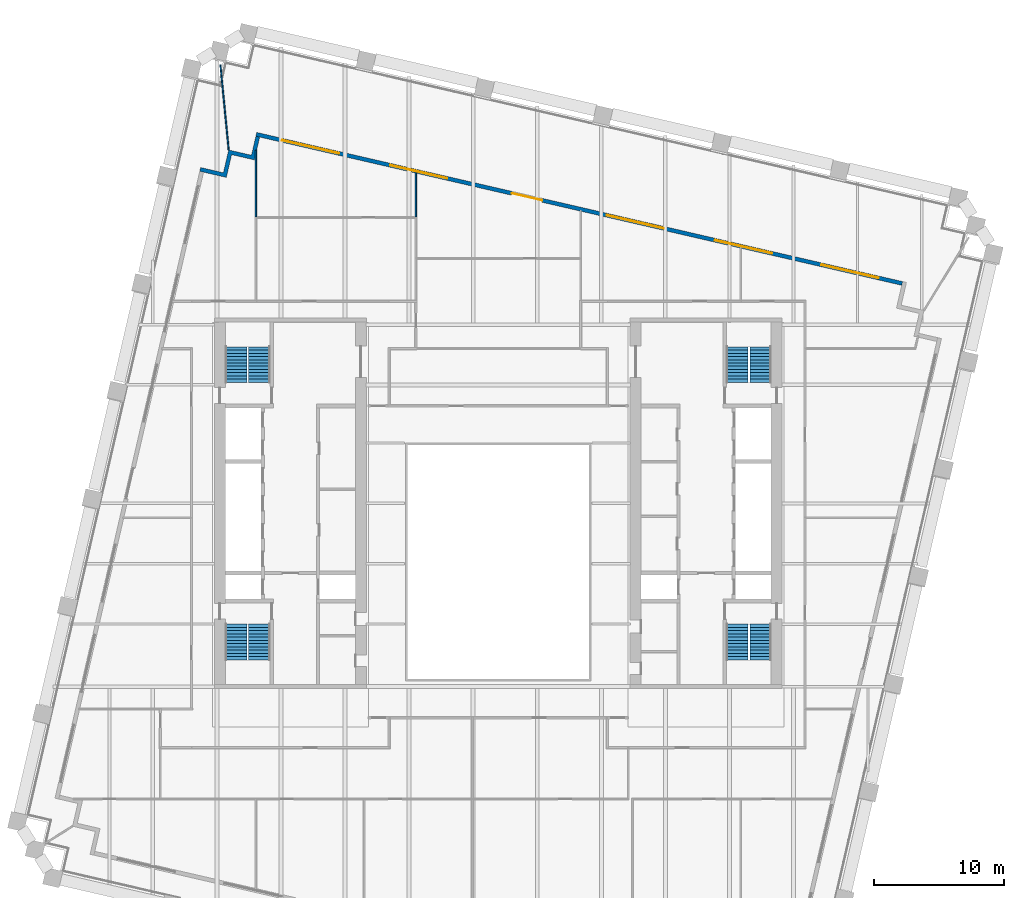
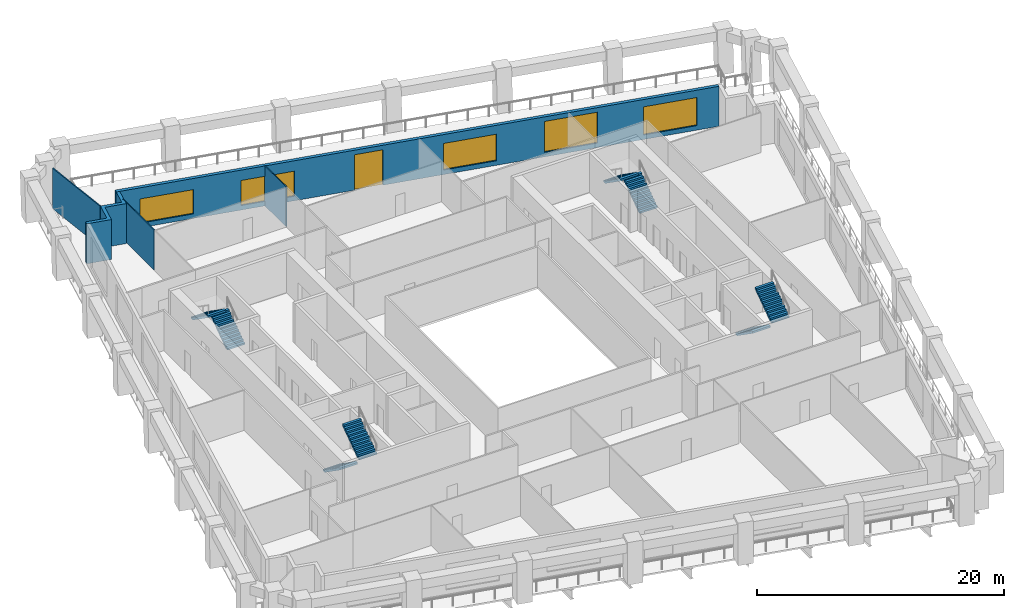
# One storey, part 8 of 10: 8 stair flights, 5 walls, 5 windows, 1 door, 6 openings, 4 elements without a shape of their own.
"""IFC4 building model written with IfcOpenShell, lengths in metres."""

from ifc_helpers import new_model, si_unit, direction, frame, frame_2d, origin, place, context, subcontext, project, spatial, polyline, rectangle, outline, extrude, material, layer, layer_set, type_object, element, fill, aggregate, save


model = new_model("IFC4")

# Units and contexts
model_context = context("Model", 3, precision=1e-05, world=origin(), true_north=direction((0.0, 1.0)))
body_context = subcontext(model_context, "Body", "Model", "MODEL_VIEW")
ifc_project = project(units=[si_unit("LENGTHUNIT", "METRE"), si_unit("AREAUNIT", "SQUARE_METRE"), si_unit("VOLUMEUNIT", "CUBIC_METRE"), si_unit("PLANEANGLEUNIT", "RADIAN"), si_unit("MASSUNIT", "GRAM", prefix="KILO")], contexts=[model_context])

# Site, building, storey
site_placement = place(None, origin())
site = spatial("IfcSite", under=ifc_project, at=site_placement, CompositionType="ELEMENT")
building_placement = place(site_placement, origin())
building = spatial("IfcBuilding", under=site, at=building_placement, Name="Ogive Exchange Tower", CompositionType="ELEMENT")
storey_placement = place(building_placement, frame((0.0, 0.0, 151.800048828125)))
storey = spatial("IfcBuildingStorey", under=building, at=storey_placement, Name="L33", CompositionType="ELEMENT", Elevation=151.800048828125)

# Wall, openings, door, windows
ifc_material_1 = material(Name="Precast concrete C40/50", Category="concrete")
ifc_layer_1 = layer(ifc_material_1, 0.300048828125)
ifc_layer_set_1 = layer_set([ifc_layer_1], Name="Limestone-faced wall 300")
wall_type_1 = type_object("IfcWallType", Name="Limestone-faced wall 300", PredefinedType="STANDARD", material=ifc_layer_set_1)
wall_1_placement = place(storey_placement, frame((31.07763671875, 28.4208984375, 0.0), z_axis=(0.0, 0.0, 1.0), x_axis=(-0.974370456532, 0.224949357493, 0.0)))
wall_1 = element("IfcWall", 1, at=wall_1_placement, inside=storey, type_object=wall_type_1, Name="External wall N3", PredefinedType="STANDARD", context=body_context, shape_type="SweptSolid", body=[
    extrude(rectangle(XDim=51.0, YDim=0.300048828125, at=frame_2d((25.5, 0.0))), origin(), (0.0, 0.0, 1.0), 3.949951171875),
])
opening_1_placement = place(wall_1_placement, frame((1.875, 0.0, 0.449951171875)))
opening_1 = element("IfcOpeningElement", 2, at=opening_1_placement, cuts=wall_1, Name="Opening W1G", PredefinedType="OPENING", context=body_context, shape_type="SweptSolid", body=[
    extrude(rectangle(XDim=4.5, YDim=2.77490234375, at=frame_2d((2.25, 1.387451171875))), frame((0.0, 0.159912109375, 0.0), z_axis=(0.0, -1.0, 0.0), x_axis=(1.0, 0.0, 0.0)), (0.0, 0.0, 1.0), 0.320068359375),
])
opening_2_placement = place(wall_1_placement, frame((10.27490234375, 0.0, 0.449951171875)))
opening_2 = element("IfcOpeningElement", 3, at=opening_2_placement, cuts=wall_1, Name="Opening W1", PredefinedType="OPENING", context=body_context, shape_type="SweptSolid", body=[
    extrude(rectangle(XDim=4.5, YDim=3.050048828125, at=frame_2d((2.25, 1.52490234375))), frame((0.0, 0.159912109375, 0.0), z_axis=(0.0, -1.0, 0.0), x_axis=(1.0, 0.0, 0.0)), (0.0, 0.0, 1.0), 0.320068359375),
])
opening_3_placement = place(wall_1_placement, frame((18.824951171875, 0.0, 0.449951171875)))
opening_3 = element("IfcOpeningElement", 4, at=opening_3_placement, cuts=wall_1, Name="Opening W1L", PredefinedType="OPENING", context=body_context, shape_type="SweptSolid", body=[
    extrude(rectangle(XDim=4.5, YDim=2.625, at=frame_2d((2.25, 1.3125))), frame((0.0, 0.159912109375, 0.0), z_axis=(0.0, -1.0, 0.0), x_axis=(1.0, 0.0, 0.0)), (0.0, 0.0, 1.0), 0.320068359375),
])
opening_4_placement = place(wall_1_placement, frame((28.425048828125, 0.0, 0.0)))
opening_4 = element("IfcOpeningElement", 5, at=opening_4_placement, cuts=wall_1, Name="Opening D1", PredefinedType="OPENING", context=body_context, shape_type="SweptSolid", body=[
    extrude(rectangle(XDim=2.39990234375, YDim=3.5, at=frame_2d((1.199951171875, 1.75))), frame((0.0, 0.159912109375, 0.0), z_axis=(0.0, -1.0, 0.0), x_axis=(1.0, 0.0, 0.0)), (0.0, 0.0, 1.0), 0.320068359375),
])
opening_5_placement = place(wall_1_placement, frame((35.925048828125, 0.0, 0.449951171875)))
opening_5 = element("IfcOpeningElement", 6, at=opening_5_placement, cuts=wall_1, Name="Opening W1P", PredefinedType="OPENING", context=body_context, shape_type="SweptSolid", body=[
    extrude(rectangle(XDim=4.5, YDim=2.47509765625, at=frame_2d((2.25, 1.237548828125))), frame((0.0, 0.159912109375, 0.0), z_axis=(0.0, -1.0, 0.0), x_axis=(1.0, 0.0, 0.0)), (0.0, 0.0, 1.0), 0.320068359375),
])
opening_6_placement = place(wall_1_placement, frame((44.47509765625, 0.0, 0.449951171875)))
opening_6 = element("IfcOpeningElement", 7, at=opening_6_placement, cuts=wall_1, Name="Opening W1R", PredefinedType="OPENING", context=body_context, shape_type="SweptSolid", body=[
    extrude(rectangle(XDim=4.5, YDim=2.39990234375, at=frame_2d((2.25, 1.199951171875))), frame((0.0, 0.159912109375, 0.0), z_axis=(0.0, -1.0, 0.0), x_axis=(1.0, 0.0, 0.0)), (0.0, 0.0, 1.0), 0.320068359375),
])
ifc_material_2 = material(Name="Clear glass in bronze frame", Category="glass")
door_type = type_object("IfcDoorType", Name="Sliding loggia door 2400 x 3500", OperationType="DOUBLE_DOOR_SLIDING", PredefinedType="DOOR", material=ifc_material_2)
door_placement = place(opening_4_placement, origin())
door = element("IfcDoor", 8, at=door_placement, inside=storey, type_object=door_type, Name="Loggia door N03", OperationType="DOUBLE_DOOR_SLIDING", OverallHeight=3.5, OverallWidth=2.39990234375, PredefinedType="DOOR", context=body_context, shape_type="SweptSolid", body=[
    extrude(rectangle(XDim=2.39990234375, YDim=3.5, at=frame_2d((1.199951171875, 1.75))), frame((0.0, 0.02490234375, 0.0), z_axis=(0.0, -1.0, 0.0), x_axis=(1.0, 0.0, 0.0)), (0.0, 0.0, 1.0), 0.050048828125),
])
fill(opening_4, door)
window_type_1 = type_object("IfcWindowType", Name="Twin lancet window 4500 x 2400", PartitioningType="DOUBLE_PANEL_VERTICAL", PredefinedType="WINDOW", material=ifc_material_2)
window_1_placement = place(opening_6_placement, origin())
window_1 = element("IfcWindow", 9, at=window_1_placement, inside=storey, type_object=window_type_1, Name="Window N05", OverallHeight=2.39990234375, OverallWidth=4.5, PartitioningType="DOUBLE_PANEL_VERTICAL", PredefinedType="WINDOW", context=body_context, shape_type="SweptSolid", body=[
    extrude(rectangle(XDim=4.5, YDim=2.39990234375, at=frame_2d((2.25, 1.199951171875))), frame((0.0, 0.030029296875, 0.0), z_axis=(0.0, -1.0, 0.0), x_axis=(1.0, 0.0, 0.0)), (0.0, 0.0, 1.0), 0.06005859375),
])
fill(opening_6, window_1)
window_type_2 = type_object("IfcWindowType", Name="Twin lancet window 4500 x 2475", PartitioningType="DOUBLE_PANEL_VERTICAL", PredefinedType="WINDOW", material=ifc_material_2)
window_2_placement = place(opening_5_placement, origin())
window_2 = element("IfcWindow", 10, at=window_2_placement, inside=storey, type_object=window_type_2, Name="Window N04", OverallHeight=2.47509765625, OverallWidth=4.5, PartitioningType="DOUBLE_PANEL_VERTICAL", PredefinedType="WINDOW", context=body_context, shape_type="SweptSolid", body=[
    extrude(rectangle(XDim=4.5, YDim=2.47509765625, at=frame_2d((2.25, 1.237548828125))), frame((0.0, 0.030029296875, 0.0), z_axis=(0.0, -1.0, 0.0), x_axis=(1.0, 0.0, 0.0)), (0.0, 0.0, 1.0), 0.06005859375),
])
fill(opening_5, window_2)
window_type_3 = type_object("IfcWindowType", Name="Twin lancet window 4500 x 2625", PartitioningType="DOUBLE_PANEL_VERTICAL", PredefinedType="WINDOW", material=ifc_material_2)
window_3_placement = place(opening_3_placement, origin())
window_3 = element("IfcWindow", 11, at=window_3_placement, inside=storey, type_object=window_type_3, Name="Window N02", OverallHeight=2.625, OverallWidth=4.5, PartitioningType="DOUBLE_PANEL_VERTICAL", PredefinedType="WINDOW", context=body_context, shape_type="SweptSolid", body=[
    extrude(rectangle(XDim=4.5, YDim=2.625, at=frame_2d((2.25, 1.3125))), frame((0.0, 0.030029296875, 0.0), z_axis=(0.0, -1.0, 0.0), x_axis=(1.0, 0.0, 0.0)), (0.0, 0.0, 1.0), 0.06005859375),
])
fill(opening_3, window_3)
window_type_4 = type_object("IfcWindowType", Name="Twin lancet window 4500 x 2775", PartitioningType="DOUBLE_PANEL_VERTICAL", PredefinedType="WINDOW", material=ifc_material_2)
window_4_placement = place(opening_1_placement, origin())
window_4 = element("IfcWindow", 12, at=window_4_placement, inside=storey, type_object=window_type_4, Name="Window N00", OverallHeight=2.77490234375, OverallWidth=4.5, PartitioningType="DOUBLE_PANEL_VERTICAL", PredefinedType="WINDOW", context=body_context, shape_type="SweptSolid", body=[
    extrude(rectangle(XDim=4.5, YDim=2.77490234375, at=frame_2d((2.25, 1.387451171875))), frame((0.0, 0.030029296875, 0.0), z_axis=(0.0, -1.0, 0.0), x_axis=(1.0, 0.0, 0.0)), (0.0, 0.0, 1.0), 0.06005859375),
])
fill(opening_1, window_4)
window_type_5 = type_object("IfcWindowType", Name="Twin lancet window 4500 x 3050", PartitioningType="DOUBLE_PANEL_VERTICAL", PredefinedType="WINDOW", material=ifc_material_2)
window_5_placement = place(opening_2_placement, origin())
window_5 = element("IfcWindow", 13, at=window_5_placement, inside=storey, type_object=window_type_5, Name="Window N01", OverallHeight=3.050048828125, OverallWidth=4.5, PartitioningType="DOUBLE_PANEL_VERTICAL", PredefinedType="WINDOW", context=body_context, shape_type="SweptSolid", body=[
    extrude(rectangle(XDim=4.5, YDim=3.050048828125, at=frame_2d((2.25, 1.52490234375))), frame((0.0, 0.030029296875, 0.0), z_axis=(0.0, -1.0, 0.0), x_axis=(1.0, 0.0, 0.0)), (0.0, 0.0, 1.0), 0.06005859375),
])
fill(opening_2, window_5)

# Walls
wall_2_placement = place(storey_placement, origin())
element("IfcWall", 14, at=wall_2_placement, inside=storey, type_object=wall_type_1, Name="External corner wall C3", PredefinedType="STANDARD", context=body_context, shape_type="SweptSolid", body=[
    extrude(outline(polyline([(-22.966552734375, 37.04931640625), (-22.89892578125, 37.341552734375), (-21.145263671875, 36.936767578125), (-20.740234375, 38.690673828125), (-18.986328125, 38.28564453125), (-18.64892578125, 39.747314453125), (-18.356689453125, 39.6796875), (-18.76171875, 37.92578125), (-20.515380859375, 38.330810546875), (-20.92041015625, 36.576904296875), (-22.966552734375, 37.04931640625)])), origin(), (0.0, 0.0, 1.0), 3.949951171875),
])
ifc_material_3 = material(Name="Laminated safety glass in steel frame", Category="steel")
ifc_layer_2 = layer(ifc_material_3, 0.10009765625)
ifc_layer_set_2 = layer_set([ifc_layer_2], Name="Loggia end screen 100")
wall_type_2 = type_object("IfcWallType", Name="Loggia end screen 100", PredefinedType="STANDARD", material=ifc_layer_set_2)
wall_3_placement = place(storey_placement, frame((-20.740234375, 38.690673828125, -0.050048828125), z_axis=(0.0, 0.0, 1.0), x_axis=(-0.097012360204, 0.995283176773, 0.0)))
element("IfcWall", 15, at=wall_3_placement, inside=storey, type_object=wall_type_2, Name="Loggia end screen C3", PredefinedType="STANDARD", context=body_context, shape_type="SweptSolid", body=[
    extrude(rectangle(XDim=6.598388671875, YDim=0.10009765625, at=frame_2d((3.29931640625, 0.0))), origin(), (0.0, 0.0, 1.0), 4.0),
])
ifc_material_4 = material(Name="Partition 100 gypsum")
ifc_layer_3 = layer(ifc_material_4, 0.10009765625)
ifc_layer_set_3 = layer_set([ifc_layer_3], Name="Partition 100 gypsum")
wall_type_3 = type_object("IfcWallType", Name="Partition 100 gypsum", PredefinedType="PARTITIONING", material=ifc_layer_set_3)
wall_4_placement = place(storey_placement, frame((-18.64990234375, 33.550048828125, 0.0), z_axis=(0.0, 0.0, 1.0), x_axis=(0.0, 1.0, 0.0)))
element("IfcWall", 16, at=wall_4_placement, inside=storey, type_object=wall_type_3, Name="L33-PWL-017", PredefinedType="PARTITIONING", context=body_context, shape_type="SweptSolid", body=[
    extrude(rectangle(XDim=5.10400390625, YDim=0.10009765625, at=frame_2d((2.552001953125, 0.0))), origin(), (0.0, 0.0, 1.0), 3.949951171875),
])
wall_5_placement = place(storey_placement, frame((-6.340087890625, 33.550048828125, 0.0), z_axis=(0.0, 0.0, 1.0), x_axis=(0.0, 1.0, 0.0)))
element("IfcWall", 17, at=wall_5_placement, inside=storey, type_object=wall_type_3, Name="L33-PWL-032", PredefinedType="PARTITIONING", context=body_context, shape_type="SweptSolid", body=[
    extrude(rectangle(XDim=3.43798828125, YDim=0.10009765625, at=frame_2d((1.718994140625, 0.0))), origin(), (0.0, 0.0, 1.0), 3.949951171875),
])

# Stair, stair flights
ifc_material_5 = material(Name="Concrete C40/50", Category="concrete")
stair_type = type_object("IfcStairType", Name="Exit stair 1650 wide", PredefinedType="HALF_TURN_STAIR", material=ifc_material_5)
stair_1_placement = place(storey_placement, origin())
stair_1 = element("IfcStair", 18, at=stair_1_placement, inside=storey, type_object=stair_type, Name="L33 exit stair ST1", PredefinedType="HALF_TURN_STAIR")
stair_flight_type = type_object("IfcStairFlightType", Name="Stair flight 1650 wide", PredefinedType="STRAIGHT", material=ifc_material_5)
stair_flight_1_placement = place(storey_placement, frame((-20.175048828125, 2.199951171875, 0.0), z_axis=(0.0, 0.0, 1.0), x_axis=(0.0, -1.0, 0.0)))
stair_flight_1 = element("IfcStairFlight", 19, at=stair_flight_1_placement, type_object=stair_flight_type, Name="ST1 flight 1", NumberOfRisers=12, NumberOfTreads=11, PredefinedType="STRAIGHT", RiserHeight=0.175, TreadLength=0.25, context=body_context, shape_type="SweptSolid", body=[
    extrude(outline(polyline([(0.0, 0.0), (0.0, 0.175048828125), (0.25, 0.175048828125), (0.25, 0.35009765625), (0.5, 0.35009765625), (0.5, 0.52490234375), (0.75, 0.52490234375), (0.75, 0.699951171875), (1.0, 0.699951171875), (1.0, 0.875), (1.25, 0.875), (1.25, 1.050048828125), (1.5, 1.050048828125), (1.5, 1.22509765625), (1.75, 1.22509765625), (1.75, 1.39990234375), (2.0, 1.39990234375), (2.0, 1.574951171875), (2.25, 1.574951171875), (2.25, 1.75), (2.5, 1.75), (2.5, 1.925048828125), (2.75, 1.925048828125), (2.75, 2.10009765625), (2.75, 1.741943359375), (0.261474609375, 0.0), (0.0, 0.0)])), frame((0.0, 0.824951171875, 0.0), z_axis=(0.0, -1.0, 0.0), x_axis=(1.0, 0.0, 0.0)), (0.0, 0.0, 1.0), 1.64990234375),
])
stair_flight_2_placement = place(storey_placement, frame((-18.375, -0.550048828125, 2.099853515625), z_axis=(0.0, 0.0, 1.0), x_axis=(0.0, 1.0, 0.0)))
stair_flight_2 = element("IfcStairFlight", 20, at=stair_flight_2_placement, type_object=stair_flight_type, Name="ST1 flight 2", NumberOfRisers=12, NumberOfTreads=11, PredefinedType="STRAIGHT", RiserHeight=0.175, TreadLength=0.25, context=body_context, shape_type="SweptSolid", body=[
    extrude(outline(polyline([(0.0, 0.0), (0.0, 0.175048828125), (0.25, 0.175048828125), (0.25, 0.35009765625), (0.5, 0.35009765625), (0.5, 0.52490234375), (0.75, 0.52490234375), (0.75, 0.699951171875), (1.0, 0.699951171875), (1.0, 0.875), (1.25, 0.875), (1.25, 1.050048828125), (1.5, 1.050048828125), (1.5, 1.22509765625), (1.75, 1.22509765625), (1.75, 1.39990234375), (2.0, 1.39990234375), (2.0, 1.574951171875), (2.25, 1.574951171875), (2.25, 1.75), (2.5, 1.75), (2.5, 1.925048828125), (2.75, 1.925048828125), (2.75, 2.10009765625), (2.75, 1.741943359375), (0.261474609375, 0.0), (0.0, 0.0)])), frame((0.0, 0.824951171875, 0.0), z_axis=(0.0, -1.0, 0.0), x_axis=(1.0, 0.0, 0.0)), (0.0, 0.0, 1.0), 1.64990234375),
])
aggregate(stair_1, [stair_flight_1, stair_flight_2])

stair_2_placement = place(storey_placement, origin())
stair_2 = element("IfcStair", 21, at=stair_2_placement, inside=storey, type_object=stair_type, Name="L33 exit stair ST2", PredefinedType="HALF_TURN_STAIR")
stair_flight_3_placement = place(storey_placement, frame((-18.375, 20.800048828125, 0.0), z_axis=(0.0, 0.0, 1.0), x_axis=(0.0, 1.0, 0.0)))
stair_flight_3 = element("IfcStairFlight", 22, at=stair_flight_3_placement, type_object=stair_flight_type, Name="ST2 flight 1", NumberOfRisers=12, NumberOfTreads=11, PredefinedType="STRAIGHT", RiserHeight=0.175, TreadLength=0.25, context=body_context, shape_type="SweptSolid", body=[
    extrude(outline(polyline([(0.0, 0.0), (0.0, 0.175048828125), (0.25, 0.175048828125), (0.25, 0.35009765625), (0.5, 0.35009765625), (0.5, 0.52490234375), (0.75, 0.52490234375), (0.75, 0.699951171875), (1.0, 0.699951171875), (1.0, 0.875), (1.25, 0.875), (1.25, 1.050048828125), (1.5, 1.050048828125), (1.5, 1.22509765625), (1.75, 1.22509765625), (1.75, 1.39990234375), (2.0, 1.39990234375), (2.0, 1.574951171875), (2.25, 1.574951171875), (2.25, 1.75), (2.5, 1.75), (2.5, 1.925048828125), (2.75, 1.925048828125), (2.75, 2.10009765625), (2.75, 1.741943359375), (0.261474609375, 0.0), (0.0, 0.0)])), frame((0.0, 0.824951171875, 0.0), z_axis=(0.0, -1.0, 0.0), x_axis=(1.0, 0.0, 0.0)), (0.0, 0.0, 1.0), 1.64990234375),
])
stair_flight_4_placement = place(storey_placement, frame((-20.175048828125, 23.550048828125, 2.099853515625), z_axis=(0.0, 0.0, 1.0), x_axis=(0.0, -1.0, 0.0)))
stair_flight_4 = element("IfcStairFlight", 23, at=stair_flight_4_placement, type_object=stair_flight_type, Name="ST2 flight 2", NumberOfRisers=12, NumberOfTreads=11, PredefinedType="STRAIGHT", RiserHeight=0.175, TreadLength=0.25, context=body_context, shape_type="SweptSolid", body=[
    extrude(outline(polyline([(0.0, 0.0), (0.0, 0.175048828125), (0.25, 0.175048828125), (0.25, 0.35009765625), (0.5, 0.35009765625), (0.5, 0.52490234375), (0.75, 0.52490234375), (0.75, 0.699951171875), (1.0, 0.699951171875), (1.0, 0.875), (1.25, 0.875), (1.25, 1.050048828125), (1.5, 1.050048828125), (1.5, 1.22509765625), (1.75, 1.22509765625), (1.75, 1.39990234375), (2.0, 1.39990234375), (2.0, 1.574951171875), (2.25, 1.574951171875), (2.25, 1.75), (2.5, 1.75), (2.5, 1.925048828125), (2.75, 1.925048828125), (2.75, 2.10009765625), (2.75, 1.741943359375), (0.261474609375, 0.0), (0.0, 0.0)])), frame((0.0, 0.824951171875, 0.0), z_axis=(0.0, -1.0, 0.0), x_axis=(1.0, 0.0, 0.0)), (0.0, 0.0, 1.0), 1.64990234375),
])
aggregate(stair_2, [stair_flight_3, stair_flight_4])

stair_3_placement = place(storey_placement, origin())
stair_3 = element("IfcStair", 24, at=stair_3_placement, inside=storey, type_object=stair_type, Name="L33 exit stair ST3", PredefinedType="HALF_TURN_STAIR")
stair_flight_5_placement = place(storey_placement, frame((18.375, 2.199951171875, 0.0), z_axis=(0.0, 0.0, 1.0), x_axis=(0.0, -1.0, 0.0)))
stair_flight_5 = element("IfcStairFlight", 25, at=stair_flight_5_placement, type_object=stair_flight_type, Name="ST3 flight 1", NumberOfRisers=12, NumberOfTreads=11, PredefinedType="STRAIGHT", RiserHeight=0.175, TreadLength=0.25, context=body_context, shape_type="SweptSolid", body=[
    extrude(outline(polyline([(0.0, 0.0), (0.0, 0.175048828125), (0.25, 0.175048828125), (0.25, 0.35009765625), (0.5, 0.35009765625), (0.5, 0.52490234375), (0.75, 0.52490234375), (0.75, 0.699951171875), (1.0, 0.699951171875), (1.0, 0.875), (1.25, 0.875), (1.25, 1.050048828125), (1.5, 1.050048828125), (1.5, 1.22509765625), (1.75, 1.22509765625), (1.75, 1.39990234375), (2.0, 1.39990234375), (2.0, 1.574951171875), (2.25, 1.574951171875), (2.25, 1.75), (2.5, 1.75), (2.5, 1.925048828125), (2.75, 1.925048828125), (2.75, 2.10009765625), (2.75, 1.741943359375), (0.261474609375, 0.0), (0.0, 0.0)])), frame((0.0, 0.824951171875, 0.0), z_axis=(0.0, -1.0, 0.0), x_axis=(1.0, 0.0, 0.0)), (0.0, 0.0, 1.0), 1.64990234375),
])
stair_flight_6_placement = place(storey_placement, frame((20.175048828125, -0.550048828125, 2.099853515625), z_axis=(0.0, 0.0, 1.0), x_axis=(0.0, 1.0, 0.0)))
stair_flight_6 = element("IfcStairFlight", 26, at=stair_flight_6_placement, type_object=stair_flight_type, Name="ST3 flight 2", NumberOfRisers=12, NumberOfTreads=11, PredefinedType="STRAIGHT", RiserHeight=0.175, TreadLength=0.25, context=body_context, shape_type="SweptSolid", body=[
    extrude(outline(polyline([(0.0, 0.0), (0.0, 0.175048828125), (0.25, 0.175048828125), (0.25, 0.35009765625), (0.5, 0.35009765625), (0.5, 0.52490234375), (0.75, 0.52490234375), (0.75, 0.699951171875), (1.0, 0.699951171875), (1.0, 0.875), (1.25, 0.875), (1.25, 1.050048828125), (1.5, 1.050048828125), (1.5, 1.22509765625), (1.75, 1.22509765625), (1.75, 1.39990234375), (2.0, 1.39990234375), (2.0, 1.574951171875), (2.25, 1.574951171875), (2.25, 1.75), (2.5, 1.75), (2.5, 1.925048828125), (2.75, 1.925048828125), (2.75, 2.10009765625), (2.75, 1.741943359375), (0.261474609375, 0.0), (0.0, 0.0)])), frame((0.0, 0.824951171875, 0.0), z_axis=(0.0, -1.0, 0.0), x_axis=(1.0, 0.0, 0.0)), (0.0, 0.0, 1.0), 1.64990234375),
])
aggregate(stair_3, [stair_flight_5, stair_flight_6])

stair_4_placement = place(storey_placement, origin())
stair_4 = element("IfcStair", 27, at=stair_4_placement, inside=storey, type_object=stair_type, Name="L33 exit stair ST4", PredefinedType="HALF_TURN_STAIR")
stair_flight_7_placement = place(storey_placement, frame((20.175048828125, 20.800048828125, 0.0), z_axis=(0.0, 0.0, 1.0), x_axis=(0.0, 1.0, 0.0)))
stair_flight_7 = element("IfcStairFlight", 28, at=stair_flight_7_placement, type_object=stair_flight_type, Name="ST4 flight 1", NumberOfRisers=12, NumberOfTreads=11, PredefinedType="STRAIGHT", RiserHeight=0.175, TreadLength=0.25, context=body_context, shape_type="SweptSolid", body=[
    extrude(outline(polyline([(0.0, 0.0), (0.0, 0.175048828125), (0.25, 0.175048828125), (0.25, 0.35009765625), (0.5, 0.35009765625), (0.5, 0.52490234375), (0.75, 0.52490234375), (0.75, 0.699951171875), (1.0, 0.699951171875), (1.0, 0.875), (1.25, 0.875), (1.25, 1.050048828125), (1.5, 1.050048828125), (1.5, 1.22509765625), (1.75, 1.22509765625), (1.75, 1.39990234375), (2.0, 1.39990234375), (2.0, 1.574951171875), (2.25, 1.574951171875), (2.25, 1.75), (2.5, 1.75), (2.5, 1.925048828125), (2.75, 1.925048828125), (2.75, 2.10009765625), (2.75, 1.741943359375), (0.261474609375, 0.0), (0.0, 0.0)])), frame((0.0, 0.824951171875, 0.0), z_axis=(0.0, -1.0, 0.0), x_axis=(1.0, 0.0, 0.0)), (0.0, 0.0, 1.0), 1.64990234375),
])
stair_flight_8_placement = place(storey_placement, frame((18.375, 23.550048828125, 2.099853515625), z_axis=(0.0, 0.0, 1.0), x_axis=(0.0, -1.0, 0.0)))
stair_flight_8 = element("IfcStairFlight", 29, at=stair_flight_8_placement, type_object=stair_flight_type, Name="ST4 flight 2", NumberOfRisers=12, NumberOfTreads=11, PredefinedType="STRAIGHT", RiserHeight=0.175, TreadLength=0.25, context=body_context, shape_type="SweptSolid", body=[
    extrude(outline(polyline([(0.0, 0.0), (0.0, 0.175048828125), (0.25, 0.175048828125), (0.25, 0.35009765625), (0.5, 0.35009765625), (0.5, 0.52490234375), (0.75, 0.52490234375), (0.75, 0.699951171875), (1.0, 0.699951171875), (1.0, 0.875), (1.25, 0.875), (1.25, 1.050048828125), (1.5, 1.050048828125), (1.5, 1.22509765625), (1.75, 1.22509765625), (1.75, 1.39990234375), (2.0, 1.39990234375), (2.0, 1.574951171875), (2.25, 1.574951171875), (2.25, 1.75), (2.5, 1.75), (2.5, 1.925048828125), (2.75, 1.925048828125), (2.75, 2.10009765625), (2.75, 1.741943359375), (0.261474609375, 0.0), (0.0, 0.0)])), frame((0.0, 0.824951171875, 0.0), z_axis=(0.0, -1.0, 0.0), x_axis=(1.0, 0.0, 0.0)), (0.0, 0.0, 1.0), 1.64990234375),
])
aggregate(stair_4, [stair_flight_7, stair_flight_8])

save(model, "model.ifc")
